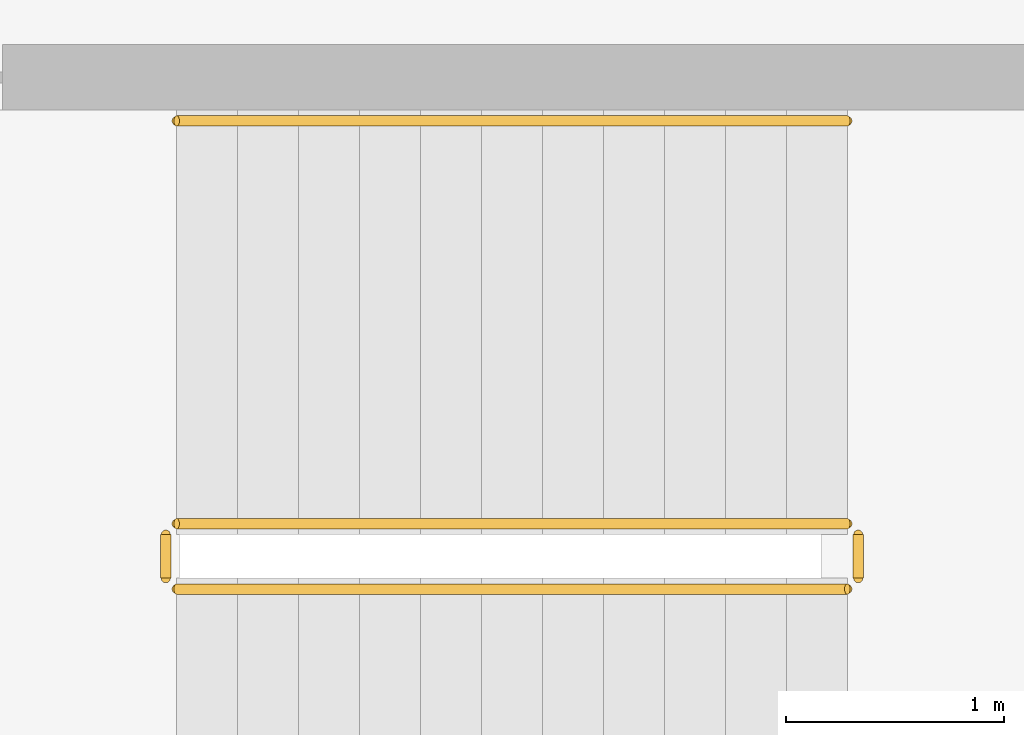
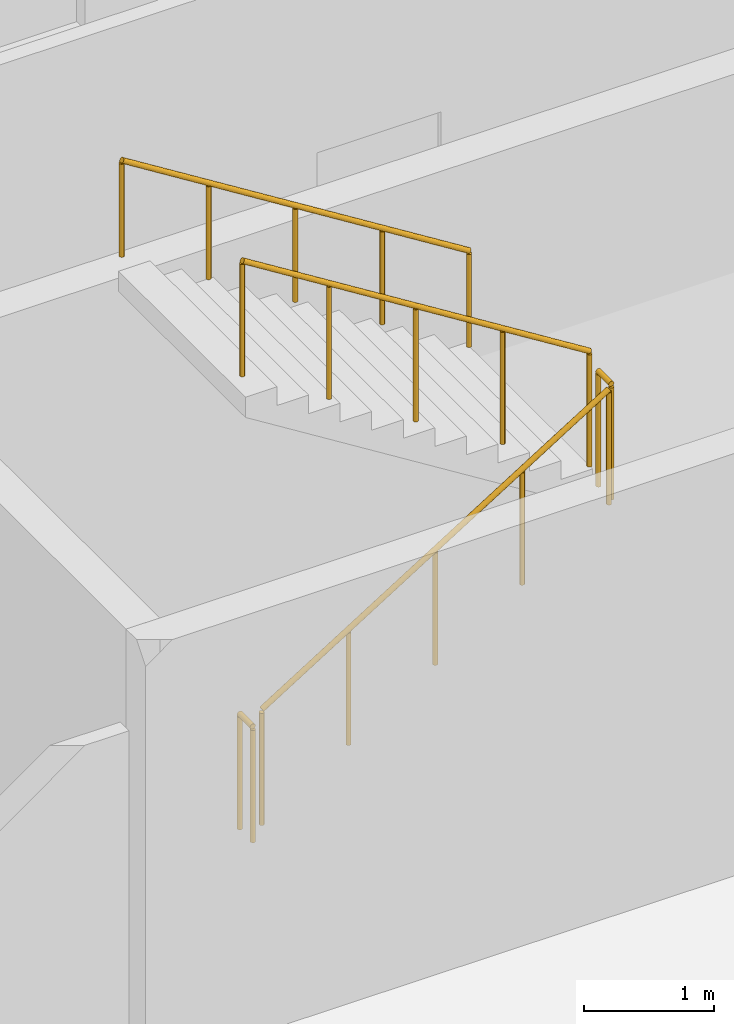
# One storey, part 103 of 107: 5 railings.
"""IFC4 building model written with IfcOpenShell, lengths in metres."""

from ifc_helpers import new_model, si_unit, direction, frame, origin, origin_2d, place, context, subcontext, project, spatial, circle, extrude, material, layer, layer_set, type_object, element, save


model = new_model("IFC4")

# Units and contexts
model_context = context("Model", 3, precision=1e-05, world=origin(), true_north=direction((0.0, 1.0)))
body_context = subcontext(model_context, "Body", "Model", "MODEL_VIEW")
ifc_project = project(units=[si_unit("LENGTHUNIT", "METRE"), si_unit("AREAUNIT", "SQUARE_METRE"), si_unit("VOLUMEUNIT", "CUBIC_METRE"), si_unit("PLANEANGLEUNIT", "RADIAN"), si_unit("MASSUNIT", "GRAM", prefix="KILO")], contexts=[model_context])

# Site, building, storey
site_placement = place(None, origin())
site = spatial("IfcSite", under=ifc_project, at=site_placement, CompositionType="ELEMENT")
building_placement = place(site_placement, origin())
building = spatial("IfcBuilding", under=site, at=building_placement, Name="Chiffa Square Polytechnic", CompositionType="ELEMENT")
storey_placement = place(building_placement, frame((0.0, 0.0, 13.800048828125)))
storey = spatial("IfcBuildingStorey", under=building, at=storey_placement, Name="L03", CompositionType="ELEMENT", Elevation=13.800048828125)

# Railings
ifc_material = material(Name="Steel S355", Category="steel")
ifc_layer_1 = layer(ifc_material, 0.050048828125, Name="Steel S355")
ifc_layer_set_1 = layer_set([ifc_layer_1], Name="Steel S355")
railing_type_1 = type_object("IfcRailingType", Name="RL-STAIR-GUARD", PredefinedType="GUARDRAIL", material=ifc_layer_set_1)
railing_1_placement = place(storey_placement, frame((124.199951171875, 19.64990234375, 0.175048828125)))
element("IfcRailing", 1, at=railing_1_placement, inside=storey, type_object=railing_type_1, Name="L03 ST-V1A stair guard 1", PredefinedType="GUARDRAIL", context=body_context, shape_type="SweptSolid", body=[
    extrude(circle(Radius=0.02392578125, at=origin_2d()), frame((0.0, 0.0, 1.076171875), z_axis=(0.848028513186, 0.0, 0.529950602248), x_axis=(0.0, 1.0, 0.0)), (0.0, 0.0, 1.0), 3.632080078125),
    extrude(circle(Radius=0.02099609375, at=origin_2d()), origin(), (0.0, 0.0, 1.0), 1.052001953125),
    extrude(circle(Radius=0.02099609375, at=origin_2d()), frame((0.77001953125, 0.0, 0.481201171875)), (0.0, 0.0, 1.0), 1.052001953125),
    extrude(circle(Radius=0.02099609375, at=origin_2d()), frame((1.5400390625, 0.0, 0.96240234375)), (0.0, 0.0, 1.0), 1.052001953125),
    extrude(circle(Radius=0.02099609375, at=origin_2d()), frame((2.31005859375, 0.0, 1.443603515625)), (0.0, 0.0, 1.0), 1.052001953125),
    extrude(circle(Radius=0.02099609375, at=origin_2d()), frame((3.080078125, 0.0, 1.9248046875)), (0.0, 0.0, 1.0), 1.052001953125),
])
railing_2_placement = place(storey_placement, frame((127.330078125, 19.699951171875, 2.099853515625)))
element("IfcRailing", 2, at=railing_2_placement, inside=storey, type_object=railing_type_1, Name="L03 ST-V1A stair guard 2", PredefinedType="GUARDRAIL", context=body_context, shape_type="SweptSolid", body=[
    extrude(circle(Radius=0.02392578125, at=origin_2d()), frame((0.0, 0.0, 1.076171875), z_axis=(0.0, 1.0, 0.0), x_axis=(-1.0, 0.0, 0.0)), (0.0, 0.0, 1.0), 0.199951171875),
    extrude(circle(Radius=0.02099609375, at=origin_2d()), origin(), (0.0, 0.0, 1.0), 1.052001953125),
    extrude(circle(Radius=0.02099609375, at=origin_2d()), frame((0.0, 0.199951171875, 0.0)), (0.0, 0.0, 1.0), 1.052001953125),
])
railing_3_placement = place(storey_placement, frame((127.280029296875, 19.949951171875, 2.27490234375)))
element("IfcRailing", 3, at=railing_3_placement, inside=storey, type_object=railing_type_1, Name="L03 ST-V1A stair guard 3", PredefinedType="GUARDRAIL", context=body_context, shape_type="SweptSolid", body=[
    extrude(circle(Radius=0.02392578125, at=origin_2d()), frame((0.0, 0.0, 1.076171875), z_axis=(-0.847998304005, 0.0, 0.529998940003), x_axis=(0.0, -1.0, 0.0)), (0.0, 0.0, 1.0), 3.632080078125),
    extrude(circle(Radius=0.02099609375, at=origin_2d()), origin(), (0.0, 0.0, 1.0), 1.052001953125),
    extrude(circle(Radius=0.02099609375, at=origin_2d()), frame((-0.77001953125, 0.0, 0.481201171875)), (0.0, 0.0, 1.0), 1.052001953125),
    extrude(circle(Radius=0.02099609375, at=origin_2d()), frame((-1.5400390625, 0.0, 0.96240234375)), (0.0, 0.0, 1.0), 1.052001953125),
    extrude(circle(Radius=0.02099609375, at=origin_2d()), frame((-2.31005859375, 0.0, 1.44384765625)), (0.0, 0.0, 1.0), 1.052001953125),
    extrude(circle(Radius=0.02099609375, at=origin_2d()), frame((-3.080078125, 0.0, 1.925048828125)), (0.0, 0.0, 1.0), 1.052001953125),
])
railing_4_placement = place(storey_placement, frame((124.14990234375, 19.699951171875, 0.0)))
element("IfcRailing", 4, at=railing_4_placement, inside=storey, type_object=railing_type_1, Name="L03 ST-V1A stair guard 4", PredefinedType="GUARDRAIL", context=body_context, shape_type="SweptSolid", body=[
    extrude(circle(Radius=0.02392578125, at=origin_2d()), frame((0.0, 0.0, 1.076171875), z_axis=(0.0, 1.0, 0.0), x_axis=(-1.0, 0.0, 0.0)), (0.0, 0.0, 1.0), 0.199951171875),
    extrude(circle(Radius=0.02099609375, at=origin_2d()), origin(), (0.0, 0.0, 1.0), 1.052001953125),
    extrude(circle(Radius=0.02099609375, at=origin_2d()), frame((0.0, 0.199951171875, 0.0)), (0.0, 0.0, 1.0), 1.052001953125),
])
ifc_layer_2 = layer(ifc_material, 0.044921875, Name="Steel S355")
ifc_layer_set_2 = layer_set([ifc_layer_2], Name="Steel S355")
railing_type_2 = type_object("IfcRailingType", Name="RL-STAIR-HAND", PredefinedType="HANDRAIL", material=ifc_layer_set_2)
railing_5_placement = place(storey_placement, frame((127.280029296875, 21.800048828125, 2.27490234375)))
element("IfcRailing", 5, at=railing_5_placement, inside=storey, type_object=railing_type_2, Name="L03 ST-V1A stair handrail 2", PredefinedType="HANDRAIL", context=body_context, shape_type="SweptSolid", body=[
    extrude(circle(Radius=0.02392578125, at=origin_2d()), frame((0.0, 0.0, 0.89599609375), z_axis=(-0.847998304005, 0.0, 0.529998940003), x_axis=(0.0, -1.0, 0.0)), (0.0, 0.0, 1.0), 3.632080078125),
    extrude(circle(Radius=0.02099609375, at=origin_2d()), origin(), (0.0, 0.0, 1.0), 0.871826171875),
    extrude(circle(Radius=0.02099609375, at=origin_2d()), frame((-0.77001953125, 0.0, 0.481201171875)), (0.0, 0.0, 1.0), 0.871826171875),
    extrude(circle(Radius=0.02099609375, at=origin_2d()), frame((-1.5400390625, 0.0, 0.96240234375)), (0.0, 0.0, 1.0), 0.871826171875),
    extrude(circle(Radius=0.02099609375, at=origin_2d()), frame((-2.31005859375, 0.0, 1.44384765625)), (0.0, 0.0, 1.0), 0.871826171875),
    extrude(circle(Radius=0.02099609375, at=origin_2d()), frame((-3.080078125, 0.0, 1.925048828125)), (0.0, 0.0, 1.0), 0.871826171875),
])

save(model, "model.ifc")
